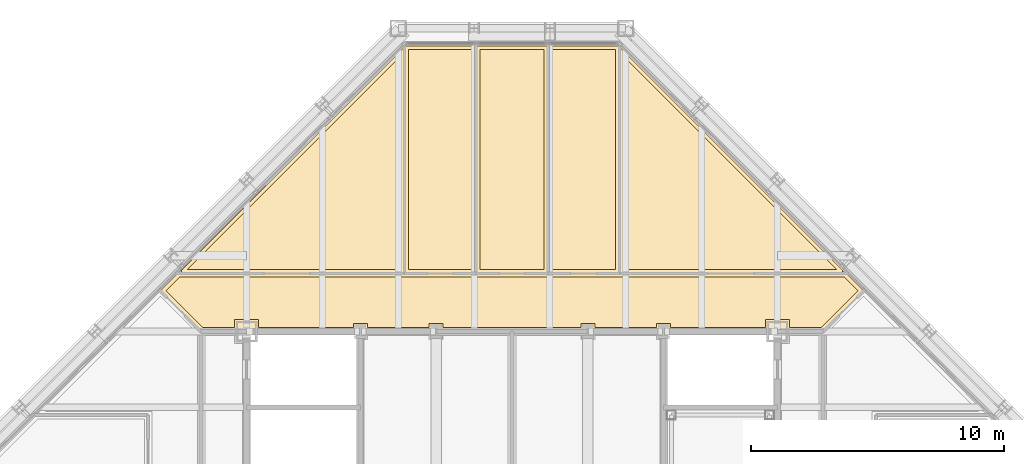
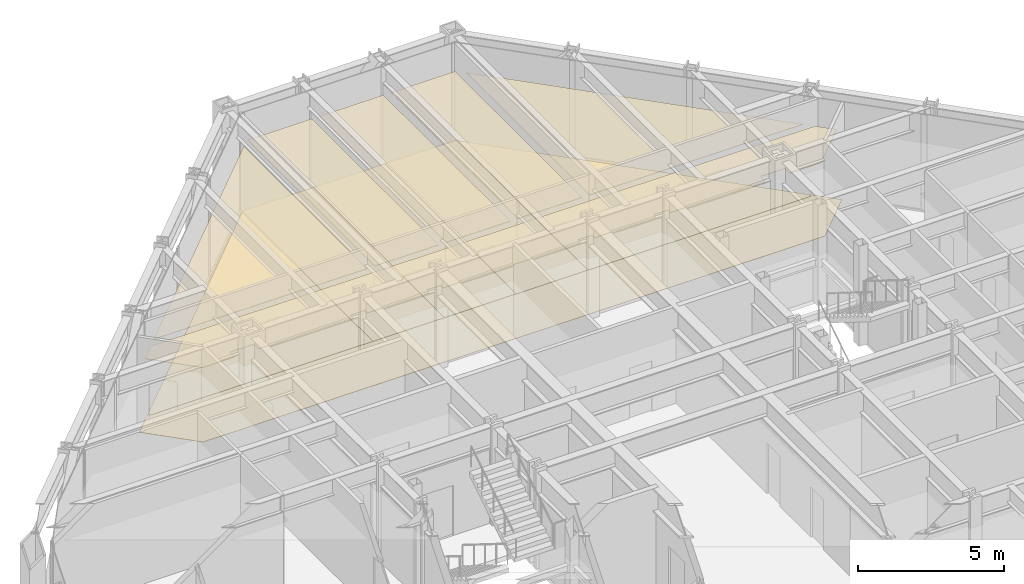
# One storey, part 15 of 15: 12 coverings.
"""IFC4 building model written with IfcOpenShell, lengths in metres."""

from ifc_helpers import new_model, si_unit, direction, frame, origin, place, context, subcontext, project, spatial, polyline, outline, extrude, material, layer, layer_set, type_object, element, save


model = new_model("IFC4")

# Units and contexts
model_context = context("Model", 3, precision=1e-05, world=origin(), true_north=direction((0.0, 1.0)))
body_context = subcontext(model_context, "Body", "Model", "MODEL_VIEW")
ifc_project = project(units=[si_unit("LENGTHUNIT", "METRE"), si_unit("AREAUNIT", "SQUARE_METRE"), si_unit("VOLUMEUNIT", "CUBIC_METRE"), si_unit("PLANEANGLEUNIT", "RADIAN"), si_unit("MASSUNIT", "GRAM", prefix="KILO")], contexts=[model_context])

# Site, building, storey
site_placement = place(None, origin())
site = spatial("IfcSite", under=ifc_project, at=site_placement, CompositionType="ELEMENT")
building_placement = place(site_placement, origin())
building = spatial("IfcBuilding", under=site, at=building_placement, Name="Chuquiago Exchange Tower", CompositionType="ELEMENT")
storey_placement = place(building_placement, frame((0.0, 0.0, 270.60009765625)))
storey = spatial("IfcBuildingStorey", under=building, at=storey_placement, Name="L60", CompositionType="ELEMENT", Elevation=270.60009765625)

# Coverings
ifc_material_1 = material(Name="Mineral fibre tile, 600 x 600, on pale metal grid", Category="mineral fibre")
ifc_layer_1 = layer(ifc_material_1, 0.02001953125)
ifc_layer_set_1 = layer_set([ifc_layer_1], Name="CL1 suspended tile ceiling 20")
covering_type_1 = type_object("IfcCoveringType", Name="CL1 suspended tile ceiling 20", PredefinedType="CEILING", material=ifc_layer_set_1)
covering_1_placement = place(storey_placement, frame((0.0, 0.0, 3.0)))
element("IfcCovering", 1, at=covering_1_placement, inside=storey, type_object=covering_type_1, Name="Ceiling Training room", PredefinedType="CEILING", context=body_context, shape_type="SweptSolid", body=[
    extrude(outline(polyline([(18.098388671875, 43.896484375), (18.098388671875, 35.449951171875), (9.652099609375, 35.449951171875), (18.098388671875, 43.896484375)])), origin(), (0.0, 0.0, 1.0), 0.02001953125),
])
covering_2_placement = place(storey_placement, frame((0.0, 0.0, 3.0)))
element("IfcCovering", 2, at=covering_2_placement, inside=storey, type_object=covering_type_1, Name="Ceiling Executive office", PredefinedType="CEILING", context=body_context, shape_type="SweptSolid", body=[
    extrude(outline(polyline([(20.932861328125, 44.14990234375), (20.932861328125, 35.449951171875), (18.3984375, 35.449951171875), (18.3984375, 44.14990234375), (20.932861328125, 44.14990234375)])), origin(), (0.0, 0.0, 1.0), 0.02001953125),
])
covering_3_placement = place(storey_placement, frame((0.0, 0.0, 3.0)))
element("IfcCovering", 3, at=covering_3_placement, inside=storey, type_object=covering_type_1, Name="Ceiling Executive office", PredefinedType="CEILING", context=body_context, shape_type="SweptSolid", body=[
    extrude(outline(polyline([(23.76708984375, 35.449951171875), (21.23291015625, 35.449951171875), (21.23291015625, 44.14990234375), (23.76708984375, 44.14990234375), (23.76708984375, 35.449951171875)])), origin(), (0.0, 0.0, 1.0), 0.02001953125),
])
covering_4_placement = place(storey_placement, frame((0.0, 0.0, 3.0)))
element("IfcCovering", 4, at=covering_4_placement, inside=storey, type_object=covering_type_1, Name="Ceiling Executive office", PredefinedType="CEILING", context=body_context, shape_type="SweptSolid", body=[
    extrude(outline(polyline([(26.6015625, 35.449951171875), (24.067138671875, 35.449951171875), (24.067138671875, 44.14990234375), (26.6015625, 44.14990234375), (26.6015625, 35.449951171875)])), origin(), (0.0, 0.0, 1.0), 0.02001953125),
])
covering_5_placement = place(storey_placement, frame((0.0, 0.0, 3.0)))
element("IfcCovering", 5, at=covering_5_placement, inside=storey, type_object=covering_type_1, Name="Ceiling Boardroom", PredefinedType="CEILING", context=body_context, shape_type="SweptSolid", body=[
    extrude(outline(polyline([(26.901611328125, 35.449951171875), (26.901611328125, 43.896484375), (35.347900390625, 35.449951171875), (26.901611328125, 35.449951171875)])), origin(), (0.0, 0.0, 1.0), 0.02001953125),
])
covering_6_placement = place(storey_placement, frame((0.0, 0.0, 3.0)))
element("IfcCovering", 6, at=covering_6_placement, inside=storey, type_object=covering_type_1, Name="Ceiling Executive reception north", PredefinedType="CEILING", context=body_context, shape_type="SweptSolid", body=[
    extrude(outline(polyline([(35.64794921875, 35.14990234375), (36.192626953125, 34.60546875), (34.7373046875, 33.14990234375), (33.47509765625, 33.14990234375), (33.47509765625, 33.47509765625), (32.52490234375, 33.47509765625), (32.52490234375, 33.14990234375), (28.77490234375, 33.14990234375), (28.77490234375, 33.32421875), (28.22509765625, 33.32421875), (28.22509765625, 33.14990234375), (25.77490234375, 33.14990234375), (25.77490234375, 33.32421875), (25.22509765625, 33.32421875), (25.22509765625, 33.14990234375), (19.77490234375, 33.14990234375), (19.77490234375, 33.32421875), (19.22509765625, 33.32421875), (19.22509765625, 33.14990234375), (16.77490234375, 33.14990234375), (16.77490234375, 33.32421875), (16.22509765625, 33.32421875), (16.22509765625, 33.14990234375), (12.47509765625, 33.14990234375), (12.47509765625, 33.47509765625), (11.52490234375, 33.47509765625), (11.52490234375, 33.14990234375), (10.2626953125, 33.14990234375), (8.807373046875, 34.60546875), (9.35205078125, 35.14990234375), (35.64794921875, 35.14990234375)])), origin(), (0.0, 0.0, 1.0), 0.02001953125),
])
ifc_material_2 = material(Name="Carpet tile, 500 x 500, on the floor slab", Category="textile")
ifc_layer_2 = layer(ifc_material_2, 0.010009765625)
ifc_layer_set_2 = layer_set([ifc_layer_2], Name="FL1 carpet tile 10")
covering_type_2 = type_object("IfcCoveringType", Name="FL1 carpet tile 10", PredefinedType="FLOORING", material=ifc_layer_set_2)
covering_7_placement = place(storey_placement, origin())
element("IfcCovering", 7, at=covering_7_placement, inside=storey, type_object=covering_type_2, Name="Floor finish Training room", PredefinedType="FLOORING", context=body_context, shape_type="SweptSolid", body=[
    extrude(outline(polyline([(18.24853515625, 44.258544921875), (18.24853515625, 35.300048828125), (9.42431640625, 35.300048828125), (9.42431640625, 35.434326171875), (18.24853515625, 44.258544921875)])), origin(), (0.0, 0.0, 1.0), 0.010009765625),
])
covering_8_placement = place(storey_placement, origin())
element("IfcCovering", 8, at=covering_8_placement, inside=storey, type_object=covering_type_2, Name="Floor finish Executive office", PredefinedType="FLOORING", context=body_context, shape_type="SweptSolid", body=[
    extrude(outline(polyline([(18.289794921875, 44.300048828125), (21.082763671875, 44.300048828125), (21.082763671875, 35.300048828125), (18.24853515625, 35.300048828125), (18.24853515625, 44.258544921875), (18.289794921875, 44.300048828125)])), origin(), (0.0, 0.0, 1.0), 0.010009765625),
])
covering_9_placement = place(storey_placement, origin())
element("IfcCovering", 9, at=covering_9_placement, inside=storey, type_object=covering_type_2, Name="Floor finish Executive office", PredefinedType="FLOORING", context=body_context, shape_type="SweptSolid", body=[
    extrude(outline(polyline([(23.917236328125, 44.300048828125), (23.917236328125, 35.300048828125), (21.082763671875, 35.300048828125), (21.082763671875, 44.300048828125), (23.917236328125, 44.300048828125)])), origin(), (0.0, 0.0, 1.0), 0.010009765625),
])
covering_10_placement = place(storey_placement, origin())
element("IfcCovering", 10, at=covering_10_placement, inside=storey, type_object=covering_type_2, Name="Floor finish Executive office", PredefinedType="FLOORING", context=body_context, shape_type="SweptSolid", body=[
    extrude(outline(polyline([(26.710205078125, 44.300048828125), (26.75146484375, 44.258544921875), (26.75146484375, 35.300048828125), (23.917236328125, 35.300048828125), (23.917236328125, 44.300048828125), (26.710205078125, 44.300048828125)])), origin(), (0.0, 0.0, 1.0), 0.010009765625),
])
covering_11_placement = place(storey_placement, origin())
element("IfcCovering", 11, at=covering_11_placement, inside=storey, type_object=covering_type_2, Name="Floor finish Boardroom", PredefinedType="FLOORING", context=body_context, shape_type="SweptSolid", body=[
    extrude(outline(polyline([(35.57568359375, 35.434326171875), (35.57568359375, 35.300048828125), (26.75146484375, 35.300048828125), (26.75146484375, 44.258544921875), (35.57568359375, 35.434326171875)])), origin(), (0.0, 0.0, 1.0), 0.010009765625),
])
ifc_material_3 = material(Name="Porcelain floor tile, 600 x 600, on adhesive bed", Category="ceramic")
ifc_layer_3 = layer(ifc_material_3, 0.014892578125)
ifc_layer_set_3 = layer_set([ifc_layer_3], Name="FL2 porcelain tile 15")
covering_type_3 = type_object("IfcCoveringType", Name="FL2 porcelain tile 15", PredefinedType="FLOORING", material=ifc_layer_set_3)
covering_12_placement = place(storey_placement, origin())
element("IfcCovering", 12, at=covering_12_placement, inside=storey, type_object=covering_type_3, Name="Floor finish Executive reception north", PredefinedType="FLOORING", context=body_context, shape_type="SweptSolid", body=[
    extrude(outline(polyline([(9.42431640625, 35.300048828125), (35.57568359375, 35.300048828125), (35.57568359375, 35.434326171875), (36.40478515625, 34.60546875), (34.799560546875, 33.0), (10.200439453125, 33.0), (8.59521484375, 34.60546875), (13.631591796875, 39.6416015625), (9.42431640625, 35.434326171875), (9.42431640625, 35.300048828125)])), origin(), (0.0, 0.0, 1.0), 0.014892578125),
])

save(model, "model.ifc")
